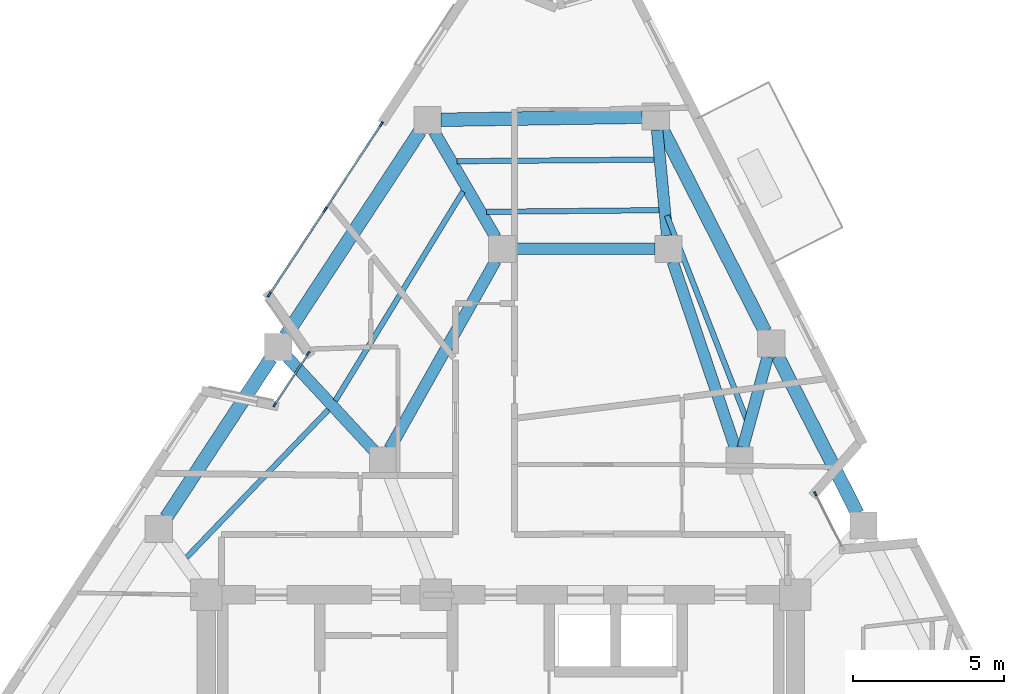
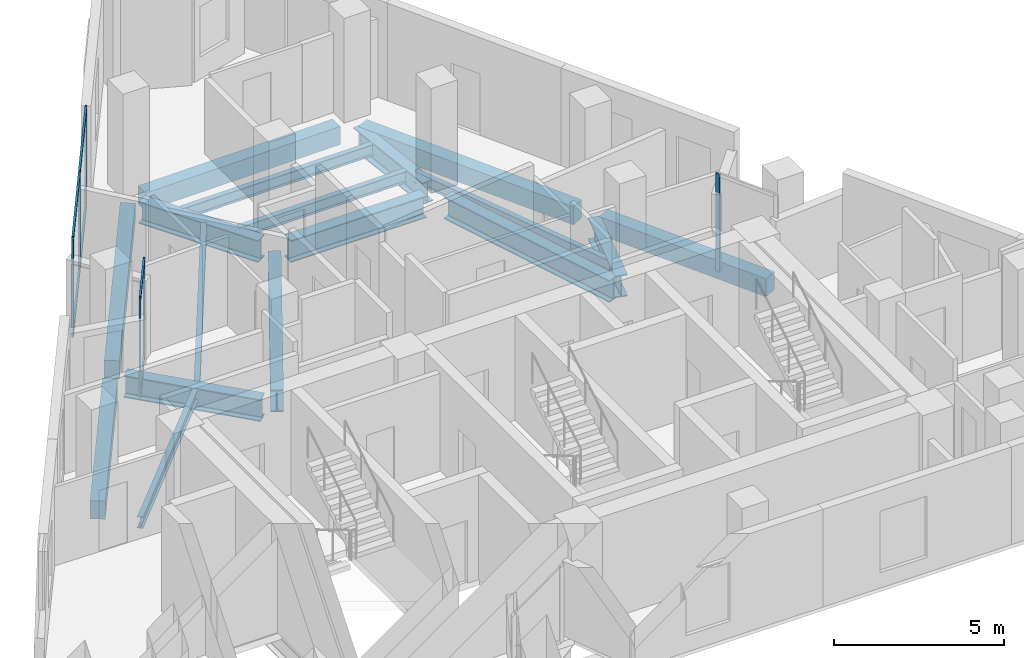
# One storey, part 3 of 9: 17 beams, 12 members, 3 elements without a shape of their own.
"""IFC4 building model written with IfcOpenShell, lengths in metres."""

from ifc_helpers import new_model, si_unit, direction, frame, origin, origin_2d, place, context, subcontext, project, spatial, rectangle, i_section, extrude, material, layer, layer_set, material_profile, profile_set, type_object, element, aggregate, save


model = new_model("IFC4")

# Units and contexts
model_context = context("Model", 3, precision=1e-05, world=origin(), true_north=direction((0.0, 1.0)))
body_context = subcontext(model_context, "Body", "Model", "MODEL_VIEW")
ifc_project = project(units=[si_unit("LENGTHUNIT", "METRE"), si_unit("AREAUNIT", "SQUARE_METRE"), si_unit("VOLUMEUNIT", "CUBIC_METRE"), si_unit("PLANEANGLEUNIT", "RADIAN"), si_unit("MASSUNIT", "GRAM", prefix="KILO")], contexts=[model_context])

# Site, building, storey
site_placement = place(None, origin())
site = spatial("IfcSite", under=ifc_project, at=site_placement, CompositionType="ELEMENT")
building_placement = place(site_placement, origin())
building = spatial("IfcBuilding", under=site, at=building_placement, Name="Almagre Mirador Tower", CompositionType="ELEMENT")
storey_placement = place(building_placement, frame((0.0, 0.0, 237.0)))
storey = spatial("IfcBuildingStorey", under=building, at=storey_placement, Name="L61", CompositionType="ELEMENT", Elevation=237.0)

# Beams
ifc_material_1 = material(Name="Steel ASTM A992 Grade 50", Category="steel")
ifc_material_profile_1 = material_profile(ifc_material_1, i_section(OverallWidth=0.178955078125, OverallDepth=0.408935546875, WebThickness=0.0087890625, FlangeThickness=0.014404296875, FilletRadius=0.013916015625, at=origin_2d()), Name="W16X45")
ifc_profile_set_1 = profile_set([ifc_material_profile_1], Name="Steel ASTM A992 Grade 50")
beam_type_1 = type_object("IfcBeamType", Name="BM-JST-W16X45", PredefinedType="JOIST", material=ifc_profile_set_1)
beam_1_placement = place(storey_placement, frame((45.444091796875, 20.5322265625, -0.45458984375), z_axis=(-0.363918331974, 0.931430860372, 0.0), x_axis=(-0.931430860372, -0.363918331974, 0.0)))
element("IfcBeam", 1, at=beam_1_placement, inside=storey, type_object=beam_type_1, Name="L61 secondary floor joist PC07-PC08.3", PredefinedType="JOIST", context=body_context, shape_type="SweptSolid", body=[
    extrude(i_section(OverallWidth=0.178955078125, OverallDepth=0.408935546875, WebThickness=0.0087890625, FlangeThickness=0.014404296875, FilletRadius=0.013916015625, at=origin_2d()), origin(), (0.0, 0.0, 1.0), 7.27294921875),
])
beam_2_placement = place(storey_placement, frame((42.375732421875, 29.158447265625, -0.45458984375), z_axis=(-0.999965144262, -0.008349267155, 0.0), x_axis=(0.008349267155, -0.999965144262, 0.0)))
element("IfcBeam", 2, at=beam_2_placement, inside=storey, type_object=beam_type_1, Name="L61 secondary floor joist PC08-PC09.1", PredefinedType="JOIST", context=body_context, shape_type="SweptSolid", body=[
    extrude(i_section(OverallWidth=0.178955078125, OverallDepth=0.408935546875, WebThickness=0.0087890625, FlangeThickness=0.014404296875, FilletRadius=0.013916015625, at=origin_2d()), origin(), (0.0, 0.0, 1.0), 6.520751953125),
])
beam_3_placement = place(storey_placement, frame((42.535400390625, 27.4833984375, -0.45458984375), z_axis=(-0.999954079437, -0.009583267608, 0.0), x_axis=(0.009583267608, -0.999954079437, 0.0)))
element("IfcBeam", 3, at=beam_3_placement, inside=storey, type_object=beam_type_1, Name="L61 secondary floor joist PC08-PC09.3", PredefinedType="JOIST", context=body_context, shape_type="SweptSolid", body=[
    extrude(i_section(OverallWidth=0.178955078125, OverallDepth=0.408935546875, WebThickness=0.0087890625, FlangeThickness=0.014404296875, FilletRadius=0.013916015625, at=origin_2d()), origin(), (0.0, 0.0, 1.0), 5.70654296875),
])
beam_4_placement = place(storey_placement, frame((36.050048828125, 28.100830078125, -0.45458984375), z_axis=(-0.521157852897, -0.85346030509, 0.0), x_axis=(0.85346030509, -0.521157852897, 0.0)))
element("IfcBeam", 4, at=beam_4_placement, inside=storey, type_object=beam_type_1, Name="L61 secondary floor joist PC09-PC10.2", PredefinedType="JOIST", context=body_context, shape_type="SweptSolid", body=[
    extrude(i_section(OverallWidth=0.178955078125, OverallDepth=0.408935546875, WebThickness=0.0087890625, FlangeThickness=0.014404296875, FilletRadius=0.013916015625, at=origin_2d()), origin(), (0.0, 0.0, 1.0), 8.11328125),
])
beam_5_placement = place(storey_placement, frame((31.5888671875, 20.874267578125, -0.45458984375), z_axis=(-0.692408884883, -0.721505326478, 0.0), x_axis=(0.721505326478, -0.692408884883, 0.0)))
element("IfcBeam", 5, at=beam_5_placement, inside=storey, type_object=beam_type_1, Name="L61 secondary floor joist PC10-PC11.2", PredefinedType="JOIST", context=body_context, shape_type="SweptSolid", body=[
    extrude(i_section(OverallWidth=0.178955078125, OverallDepth=0.408935546875, WebThickness=0.0087890625, FlangeThickness=0.014404296875, FilletRadius=0.013916015625, at=origin_2d()), origin(), (0.0, 0.0, 1.0), 6.77978515625),
])
ifc_material_2 = material(Name="Precast concrete C50/60", Category="concrete")
ifc_material_profile_2 = material_profile(ifc_material_2, rectangle(XDim=0.449951171875, YDim=0.64990234375, at=origin_2d()), Name="RC450X650")
ifc_profile_set_2 = profile_set([ifc_material_profile_2], Name="Precast concrete C50/60")
beam_type_2 = type_object("IfcBeamType", Name="BM-SPN-RC450X650", PredefinedType="SPANDREL", material=ifc_profile_set_2)
beam_6_placement = place(storey_placement, frame((49.104248046875, 17.4501953125, -0.574951171875), z_axis=(-0.452899170526, 0.891561742863, 0.0), x_axis=(-0.891561742863, -0.452899170526, 0.0)))
element("IfcBeam", 6, at=beam_6_placement, inside=storey, type_object=beam_type_2, Name="L61 perimeter spandrel beam PC06-PC07", PredefinedType="SPANDREL", context=body_context, shape_type="SweptSolid", body=[
    extrude(rectangle(XDim=0.449951171875, YDim=0.64990234375, at=origin_2d()), origin(), (0.0, 0.0, 1.0), 5.84765625),
])
beam_7_placement = place(storey_placement, frame((46.048095703125, 23.46630859375, -0.574951171875), z_axis=(-0.452894484788, 0.891564123128, 0.0), x_axis=(-0.891564123128, -0.452894484788, 0.0)))
element("IfcBeam", 7, at=beam_7_placement, inside=storey, type_object=beam_type_2, Name="L61 perimeter spandrel beam PC07-PC08", PredefinedType="SPANDREL", context=body_context, shape_type="SweptSolid", body=[
    extrude(rectangle(XDim=0.449951171875, YDim=0.64990234375, at=origin_2d()), origin(), (0.0, 0.0, 1.0), 7.534423828125),
])
beam_8_placement = place(storey_placement, frame((41.982177734375, 30.578125, -0.574951171875), z_axis=(-0.999882180075, -0.015350112976, 0.0), x_axis=(0.015350112976, -0.999882180075, 0.0)))
element("IfcBeam", 8, at=beam_8_placement, inside=storey, type_object=beam_type_2, Name="L61 perimeter spandrel beam PC08-PC09", PredefinedType="SPANDREL", context=body_context, shape_type="SweptSolid", body=[
    extrude(rectangle(XDim=0.449951171875, YDim=0.64990234375, at=origin_2d()), origin(), (0.0, 0.0, 1.0), 6.6640625),
])
beam_9_placement = place(storey_placement, frame((34.621826171875, 30.093017578125, -0.574951171875), z_axis=(-0.54903769876, -0.835797586345, 0.0), x_axis=(0.835797586345, -0.54903769876, 0.0)))
element("IfcBeam", 9, at=beam_9_placement, inside=storey, type_object=beam_type_2, Name="L61 perimeter spandrel beam PC09-PC10", PredefinedType="SPANDREL", context=body_context, shape_type="SweptSolid", body=[
    extrude(rectangle(XDim=0.449951171875, YDim=0.64990234375, at=origin_2d()), origin(), (0.0, 0.0, 1.0), 8.097412109375),
])
beam_10_placement = place(storey_placement, frame((29.681884765625, 22.572998046875, -0.574951171875), z_axis=(-0.549024719226, -0.835806112492, 0.0), x_axis=(0.835806112492, -0.549024719226, 0.0)))
element("IfcBeam", 10, at=beam_10_placement, inside=storey, type_object=beam_type_2, Name="L61 perimeter spandrel beam PC10-PC11", PredefinedType="SPANDREL", context=body_context, shape_type="SweptSolid", body=[
    extrude(rectangle(XDim=0.449951171875, YDim=0.64990234375, at=origin_2d()), origin(), (0.0, 0.0, 1.0), 6.298095703125),
])
ifc_material_3 = material(Name="Steel ASTM A992 Grade 50", Category="steel")
ifc_material_profile_3 = material_profile(ifc_material_3, i_section(OverallWidth=0.384033203125, OverallDepth=0.784912109375, WebThickness=0.019775390625, FlangeThickness=0.033447265625, FilletRadius=0.02392578125, at=origin_2d()), Name="W30X211")
ifc_profile_set_3 = profile_set([ifc_material_profile_3], Name="Steel ASTM A992 Grade 50")
beam_type_3 = type_object("IfcBeamType", Name="BM-STL-W30X211", PredefinedType="BEAM", material=ifc_profile_set_3)
beam_11_placement = place(storey_placement, frame((37.800048828125, 26.199951171875, -0.642578125), z_axis=(1.0, 0.0, 0.0), x_axis=(0.0, 1.0, 0.0)))
element("IfcBeam", 11, at=beam_11_placement, inside=storey, type_object=beam_type_3, Name="L61 core tie girder MC7-MC6", PredefinedType="BEAM", context=body_context, shape_type="SweptSolid", body=[
    extrude(i_section(OverallWidth=0.384033203125, OverallDepth=0.784912109375, WebThickness=0.019775390625, FlangeThickness=0.033447265625, FilletRadius=0.02392578125, at=origin_2d()), origin(), (0.0, 0.0, 1.0), 4.599853515625),
])
beam_12_placement = place(storey_placement, frame((42.9931640625, 25.7734375, -0.642578125), z_axis=(0.318282890726, -0.947995781357, 0.0), x_axis=(0.947995781357, 0.318282890726, 0.0)))
element("IfcBeam", 12, at=beam_12_placement, inside=storey, type_object=beam_type_3, Name="L61 core tie girder MC6-MC5", PredefinedType="BEAM", context=body_context, shape_type="SweptSolid", body=[
    extrude(i_section(OverallWidth=0.384033203125, OverallDepth=0.784912109375, WebThickness=0.019775390625, FlangeThickness=0.033447265625, FilletRadius=0.02392578125, at=origin_2d()), origin(), (0.0, 0.0, 1.0), 6.48388671875),
])
beam_13_placement = place(storey_placement, frame((37.12890625, 25.80810546875, -0.642578125), z_axis=(-0.491446261843, -0.870907900825, 0.0), x_axis=(0.870907900825, -0.491446261843, 0.0)))
element("IfcBeam", 13, at=beam_13_placement, inside=storey, type_object=beam_type_3, Name="L61 core tie girder MC7-MC8", PredefinedType="BEAM", context=body_context, shape_type="SweptSolid", body=[
    extrude(i_section(OverallWidth=0.384033203125, OverallDepth=0.784912109375, WebThickness=0.019775390625, FlangeThickness=0.033447265625, FilletRadius=0.02392578125, at=origin_2d()), origin(), (0.0, 0.0, 1.0), 7.1376953125),
])
beam_14_placement = place(storey_placement, frame((46.1337890625, 22.630859375, -0.642578125), z_axis=(-0.26264509324, -0.964892509556, 0.0), x_axis=(0.964892509556, -0.26264509324, 0.0)))
element("IfcBeam", 14, at=beam_14_placement, inside=storey, type_object=beam_type_3, Name="L61 radial floor girder PC07-MC5", PredefinedType="BEAM", context=body_context, shape_type="SweptSolid", body=[
    extrude(i_section(OverallWidth=0.384033203125, OverallDepth=0.784912109375, WebThickness=0.019775390625, FlangeThickness=0.033447265625, FilletRadius=0.02392578125, at=origin_2d()), origin(), (0.0, 0.0, 1.0), 3.105712890625),
])
beam_15_placement = place(storey_placement, frame((42.474609375, 30.136962890625, -0.642578125), z_axis=(0.094943868269, -0.995482627612, 0.0), x_axis=(0.995482627612, 0.094943868269, 0.0)))
element("IfcBeam", 15, at=beam_15_placement, inside=storey, type_object=beam_type_3, Name="L61 radial floor girder PC08-MC6", PredefinedType="BEAM", context=body_context, shape_type="SweptSolid", body=[
    extrude(i_section(OverallWidth=0.384033203125, OverallDepth=0.784912109375, WebThickness=0.019775390625, FlangeThickness=0.033447265625, FilletRadius=0.02392578125, at=origin_2d()), origin(), (0.0, 0.0, 1.0), 3.5048828125),
])
beam_16_placement = place(storey_placement, frame((35.09521484375, 30.079833984375, -0.642578125), z_axis=(0.502449130804, -0.864606772443, 0.0), x_axis=(0.864606772443, 0.502449130804, 0.0)))
element("IfcBeam", 16, at=beam_16_placement, inside=storey, type_object=beam_type_3, Name="L61 radial floor girder PC09-MC7", PredefinedType="BEAM", context=body_context, shape_type="SweptSolid", body=[
    extrude(i_section(OverallWidth=0.384033203125, OverallDepth=0.784912109375, WebThickness=0.019775390625, FlangeThickness=0.033447265625, FilletRadius=0.02392578125, at=origin_2d()), origin(), (0.0, 0.0, 1.0), 4.037353515625),
])
beam_17_placement = place(storey_placement, frame((30.234619140625, 22.618896484375, -0.642578125), z_axis=(0.679380272184, -0.733786376112, 0.0), x_axis=(0.733786376112, 0.679380272184, 0.0)))
element("IfcBeam", 17, at=beam_17_placement, inside=storey, type_object=beam_type_3, Name="L61 radial floor girder PC10-MC8", PredefinedType="BEAM", context=body_context, shape_type="SweptSolid", body=[
    extrude(i_section(OverallWidth=0.384033203125, OverallDepth=0.784912109375, WebThickness=0.019775390625, FlangeThickness=0.033447265625, FilletRadius=0.02392578125, at=origin_2d()), origin(), (0.0, 0.0, 1.0), 4.209228515625),
])

# Curtain wall, members
ifc_material_4 = material(Name="Black anodized aluminium", Category="aluminium")
ifc_layer_1 = layer(ifc_material_4, 0.169921875)
ifc_layer_set_1 = layer_set([ifc_layer_1], Name="Black anodized aluminium")
curtain_wall_type_1 = type_object("IfcCurtainWallType", Name="CW-CRS-SYS", PredefinedType="NOTDEFINED", material=ifc_layer_set_1)
curtain_wall_1_placement = place(storey_placement, origin())
curtain_wall_1 = element("IfcCurtainWall", 18, at=curtain_wall_1_placement, inside=storey, type_object=curtain_wall_type_1, Name="L61 vertical crease curtain wall 01", PredefinedType="NOTDEFINED")
ifc_material_5 = material(Name="Black anodized aluminium", Category="aluminium")
ifc_material_profile_4 = material_profile(ifc_material_5, rectangle(XDim=0.06005859375, YDim=0.14990234375, at=origin_2d()), Name="CWM60X150")
ifc_profile_set_4 = profile_set([ifc_material_profile_4], Name="Black anodized aluminium")
member_type_1 = type_object("IfcMemberType", Name="MBR-CWM60X150", PredefinedType="MULLION", material=ifc_profile_set_4)
member_1_placement = place(storey_placement, frame((29.814453125, 21.044189453125, 0.0), z_axis=(0.0, 0.0, 1.0), x_axis=(-0.835931289344, 0.548834109267, 0.0)))
member_1 = element("IfcMember", 19, at=member_1_placement, type_object=member_type_1, Name="CW-4 mullion 1", PredefinedType="MULLION", context=body_context, shape_type="SweptSolid", body=[
    extrude(rectangle(XDim=0.06005859375, YDim=0.14990234375, at=origin_2d()), origin(), (0.0, 0.0, 1.0), 3.5),
])
member_2_placement = place(storey_placement, frame((30.928466796875, 22.740966796875, 0.0), z_axis=(0.0, 0.0, 1.0), x_axis=(-0.835931289344, 0.548834109267, 0.0)))
member_2 = element("IfcMember", 20, at=member_2_placement, type_object=member_type_1, Name="CW-4 mullion 2", PredefinedType="MULLION", context=body_context, shape_type="SweptSolid", body=[
    extrude(rectangle(XDim=0.06005859375, YDim=0.14990234375, at=origin_2d()), origin(), (0.0, 0.0, 1.0), 3.5),
])

# Curtain wall, member
curtain_wall_2_placement = place(storey_placement, origin())
curtain_wall_2 = element("IfcCurtainWall", 21, at=curtain_wall_2_placement, inside=storey, type_object=curtain_wall_type_1, Name="L61 vertical crease curtain wall 03", PredefinedType="NOTDEFINED")
member_3_placement = place(storey_placement, frame((47.711669921875, 18.09423828125, 0.0), z_axis=(0.0, 0.0, 1.0), x_axis=(0.891539014833, 0.452943909364, 0.0)))
member_3 = element("IfcMember", 22, at=member_3_placement, type_object=member_type_1, Name="CW-4 mullion 1", PredefinedType="MULLION", context=body_context, shape_type="SweptSolid", body=[
    extrude(rectangle(XDim=0.06005859375, YDim=0.14990234375, at=origin_2d()), origin(), (0.0, 0.0, 1.0), 3.5),
])
aggregate(curtain_wall_2, [member_3])

# Curtain wall, members
ifc_material_6 = material(Name="Black anodized aluminium", Category="aluminium")
ifc_layer_2 = layer(ifc_material_6, 0.199951171875)
ifc_layer_set_2 = layer_set([ifc_layer_2], Name="Black anodized aluminium")
curtain_wall_type_2 = type_object("IfcCurtainWallType", Name="CW-RES-H-SYS", PredefinedType="NOTDEFINED", material=ifc_layer_set_2)
curtain_wall_3_placement = place(storey_placement, origin())
curtain_wall_3 = element("IfcCurtainWall", 23, at=curtain_wall_3_placement, inside=storey, type_object=curtain_wall_type_2, Name="L61 curtain wall run 02", PredefinedType="NOTDEFINED")
ifc_material_7 = material(Name="Black anodized aluminium", Category="aluminium")
ifc_material_profile_5 = material_profile(ifc_material_7, rectangle(XDim=0.06494140625, YDim=0.179931640625, at=origin_2d()), Name="CWM65X180")
ifc_profile_set_5 = profile_set([ifc_material_profile_5], Name="Black anodized aluminium")
member_type_2 = type_object("IfcMemberType", Name="MBR-CWM65X180", PredefinedType="MULLION", material=ifc_profile_set_5)
member_4_placement = place(storey_placement, frame((29.6357421875, 24.688232421875, 0.0), z_axis=(0.0, 0.0, 1.0), x_axis=(-0.835799715816, 0.549034457062, 0.0)))
member_4 = element("IfcMember", 24, at=member_4_placement, type_object=member_type_2, Name="CW-3 mullion 1", PredefinedType="MULLION", context=body_context, shape_type="SweptSolid", body=[
    extrude(rectangle(XDim=0.06494140625, YDim=0.179931640625, at=origin_2d()), origin(), (0.0, 0.0, 1.0), 3.5),
])
member_5_placement = place(storey_placement, frame((31.489501953125, 27.510009765625, 0.0), z_axis=(0.0, 0.0, 1.0), x_axis=(-0.835799715816, 0.549034457062, 0.0)))
member_5 = element("IfcMember", 25, at=member_5_placement, type_object=member_type_2, Name="CW-3 mullion 2", PredefinedType="MULLION", context=body_context, shape_type="SweptSolid", body=[
    extrude(rectangle(XDim=0.06494140625, YDim=0.179931640625, at=origin_2d()), origin(), (0.0, 0.0, 1.0), 3.5),
])
member_6_placement = place(storey_placement, frame((33.34326171875, 30.331787109375, 0.0), z_axis=(0.0, 0.0, 1.0), x_axis=(-0.835799715816, 0.549034457062, 0.0)))
member_6 = element("IfcMember", 26, at=member_6_placement, type_object=member_type_2, Name="CW-3 mullion 3", PredefinedType="MULLION", context=body_context, shape_type="SweptSolid", body=[
    extrude(rectangle(XDim=0.06494140625, YDim=0.179931640625, at=origin_2d()), origin(), (0.0, 0.0, 1.0), 3.5),
])

# Member
ifc_material_8 = material(Name="Black anodized aluminium", Category="aluminium")
ifc_material_profile_6 = material_profile(ifc_material_8, rectangle(XDim=0.06005859375, YDim=0.1298828125, at=origin_2d()), Name="CWT60X130")
ifc_profile_set_6 = profile_set([ifc_material_profile_6], Name="Black anodized aluminium")
member_type_3 = type_object("IfcMemberType", Name="MBR-CWT60X130", PredefinedType="USERDEFINED", material=ifc_profile_set_6)
member_7_placement = place(storey_placement, frame((29.830810546875, 21.069091796875, 0.030029296875), z_axis=(0.548881100965, 0.835900434863, 0.0), x_axis=(-0.835900434863, 0.548881100965, 0.0)))
member_7 = element("IfcMember", 27, at=member_7_placement, type_object=member_type_3, Name="CW-4 transom 1.1", ObjectType="TRANSOM", PredefinedType="USERDEFINED", context=body_context, shape_type="SweptSolid", body=[
    extrude(rectangle(XDim=0.06005859375, YDim=0.1298828125, at=origin_2d()), origin(), (0.0, 0.0, 1.0), 1.969970703125),
])

member_8_placement = place(storey_placement, frame((29.830810546875, 21.069091796875, 3.469970703125), z_axis=(0.548881100965, 0.835900434863, 0.0), x_axis=(-0.835900434863, 0.548881100965, 0.0)))
member_8 = element("IfcMember", 28, at=member_8_placement, type_object=member_type_3, Name="CW-4 transom 1.2", ObjectType="TRANSOM", PredefinedType="USERDEFINED", context=body_context, shape_type="SweptSolid", body=[
    extrude(rectangle(XDim=0.06005859375, YDim=0.1298828125, at=origin_2d()), origin(), (0.0, 0.0, 1.0), 1.969970703125),
])

aggregate(curtain_wall_1, [member_1, member_2, member_7, member_8])

ifc_material_9 = material(Name="Black anodized aluminium", Category="aluminium")
ifc_material_profile_7 = material_profile(ifc_material_9, rectangle(XDim=0.06494140625, YDim=0.14990234375, at=origin_2d()), Name="CWT65X150")
ifc_profile_set_7 = profile_set([ifc_material_profile_7], Name="Black anodized aluminium")
member_type_4 = type_object("IfcMemberType", Name="MBR-CWT65X150", PredefinedType="USERDEFINED", material=ifc_profile_set_7)
member_9_placement = place(storey_placement, frame((29.65380859375, 24.71533203125, 0.032470703125), z_axis=(0.549004265445, 0.835819547823, 0.0), x_axis=(-0.835819547823, 0.549004265445, 0.0)))
member_9 = element("IfcMember", 29, at=member_9_placement, type_object=member_type_4, Name="CW-3 transom 1.1", ObjectType="TRANSOM", PredefinedType="USERDEFINED", context=body_context, shape_type="SweptSolid", body=[
    extrude(rectangle(XDim=0.06494140625, YDim=0.14990234375, at=origin_2d()), origin(), (0.0, 0.0, 1.0), 3.311279296875),
])

member_10_placement = place(storey_placement, frame((29.65380859375, 24.71533203125, 3.467529296875), z_axis=(0.549004265445, 0.835819547823, 0.0), x_axis=(-0.835819547823, 0.549004265445, 0.0)))
member_10 = element("IfcMember", 30, at=member_10_placement, type_object=member_type_4, Name="CW-3 transom 1.2", ObjectType="TRANSOM", PredefinedType="USERDEFINED", context=body_context, shape_type="SweptSolid", body=[
    extrude(rectangle(XDim=0.06494140625, YDim=0.14990234375, at=origin_2d()), origin(), (0.0, 0.0, 1.0), 3.311279296875),
])

member_11_placement = place(storey_placement, frame((31.50732421875, 27.537109375, 0.032470703125), z_axis=(0.549004265445, 0.835819547823, 0.0), x_axis=(-0.835819547823, 0.549004265445, 0.0)))
member_11 = element("IfcMember", 31, at=member_11_placement, type_object=member_type_4, Name="CW-3 transom 2.1", ObjectType="TRANSOM", PredefinedType="USERDEFINED", context=body_context, shape_type="SweptSolid", body=[
    extrude(rectangle(XDim=0.06494140625, YDim=0.14990234375, at=origin_2d()), origin(), (0.0, 0.0, 1.0), 3.311279296875),
])

member_12_placement = place(storey_placement, frame((31.50732421875, 27.537109375, 3.467529296875), z_axis=(0.549004265445, 0.835819547823, 0.0), x_axis=(-0.835819547823, 0.549004265445, 0.0)))
member_12 = element("IfcMember", 32, at=member_12_placement, type_object=member_type_4, Name="CW-3 transom 2.2", ObjectType="TRANSOM", PredefinedType="USERDEFINED", context=body_context, shape_type="SweptSolid", body=[
    extrude(rectangle(XDim=0.06494140625, YDim=0.14990234375, at=origin_2d()), origin(), (0.0, 0.0, 1.0), 3.311279296875),
])

aggregate(curtain_wall_3, [member_4, member_5, member_6, member_9, member_10, member_11, member_12])

save(model, "model.ifc")
